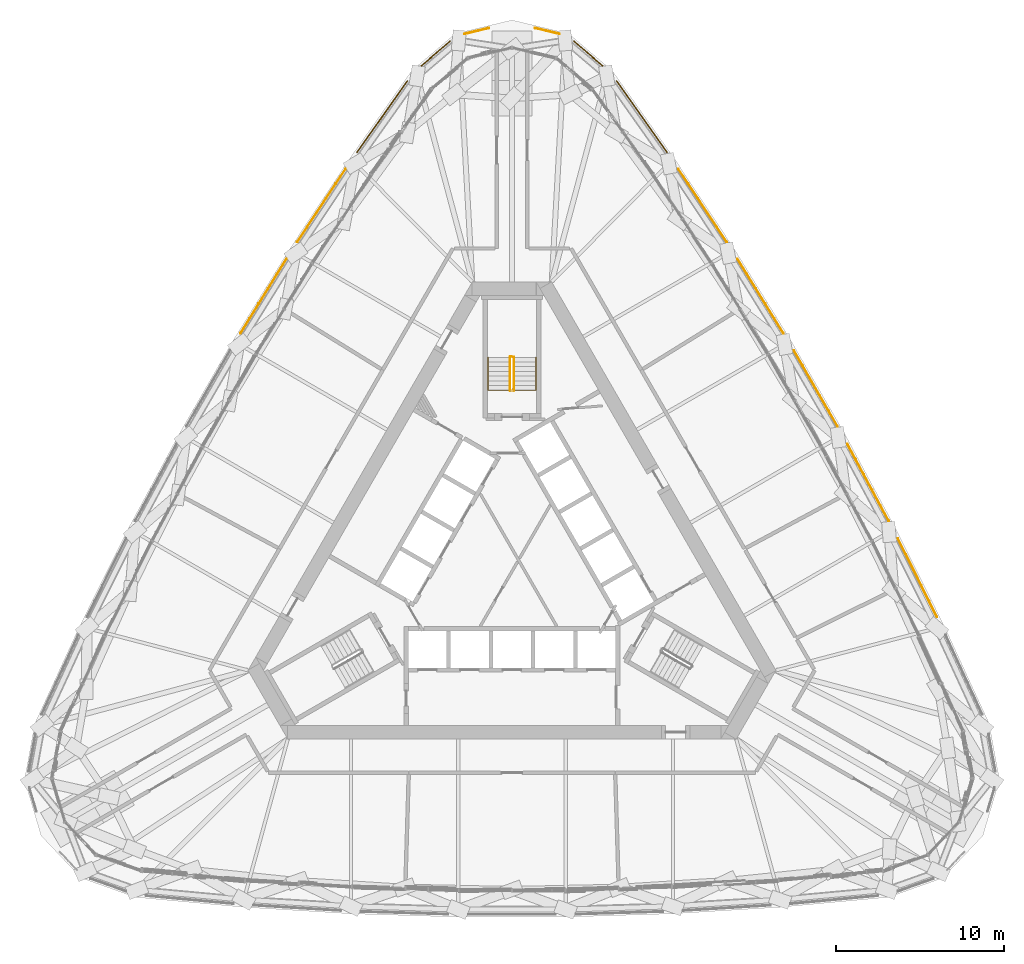
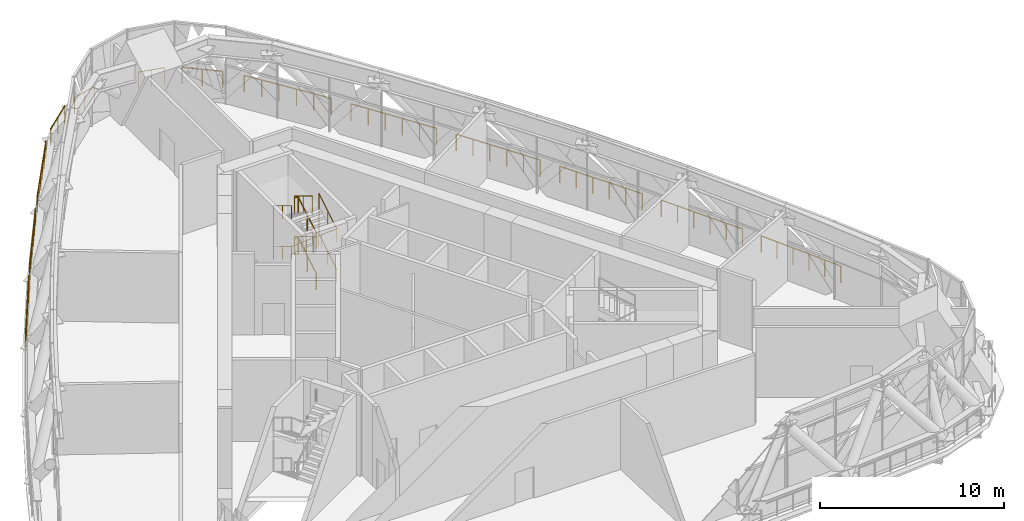
# One storey, part 35 of 35: 18 railings.
"""IFC4 building model written with IfcOpenShell, lengths in metres."""

from ifc_helpers import new_model, si_unit, direction, frame, origin, origin_2d, place, context, subcontext, project, spatial, circle, extrude, material, type_object, element, save


model = new_model("IFC4")

# Units and contexts
model_context = context("Model", 3, precision=1e-05, world=origin(), true_north=direction((0.0, 1.0)))
body_context = subcontext(model_context, "Body", "Model", "MODEL_VIEW")
ifc_project = project(units=[si_unit("LENGTHUNIT", "METRE"), si_unit("AREAUNIT", "SQUARE_METRE"), si_unit("VOLUMEUNIT", "CUBIC_METRE"), si_unit("PLANEANGLEUNIT", "RADIAN"), si_unit("MASSUNIT", "GRAM", prefix="KILO")], contexts=[model_context])

# Site, building, storey
site_placement = place(None, origin())
site = spatial("IfcSite", under=ifc_project, at=site_placement, CompositionType="ELEMENT")
building_placement = place(site_placement, origin())
building = spatial("IfcBuilding", under=site, at=building_placement, Name="Mestral Congress Tower", CompositionType="ELEMENT")
storey_placement = place(building_placement, frame((0.0, 0.0, 196.199951171875)))
storey = spatial("IfcBuildingStorey", under=building, at=storey_placement, Name="L46", CompositionType="ELEMENT", Elevation=196.199951171875)

# Railings
ifc_material_1 = material(Name="Stainless steel", Category="steel")
railing_type_1 = type_object("IfcRailingType", Name="Facade guard 1120 steel and glass", PredefinedType="GUARDRAIL", material=ifc_material_1)
railing_1_placement = place(storey_placement, frame((25.333740234375, -3.16259765625, 0.0)))
element("IfcRailing", 1, at=railing_1_placement, inside=storey, type_object=railing_type_1, Name="Band guard F1-01", PredefinedType="GUARDRAIL", context=body_context, shape_type="SweptSolid", body=[
    extrude(circle(Radius=0.02392578125, at=origin_2d()), frame((0.0, 0.0, 1.09619140625), z_axis=(-0.446237434169, 0.894914606176, 0.0), x_axis=(-0.894914606176, -0.446237434169, 0.0)), (0.0, 0.0, 1.0), 5.20361328125),
    extrude(circle(Radius=0.02099609375, at=origin_2d()), origin(), (0.0, 0.0, 1.0), 1.072021484375),
    extrude(circle(Radius=0.02099609375, at=origin_2d()), frame((-0.46435546875, 0.931396484375, 0.0)), (0.0, 0.0, 1.0), 1.072021484375),
    extrude(circle(Radius=0.02099609375, at=origin_2d()), frame((-0.9287109375, 1.86279296875, 0.0)), (0.0, 0.0, 1.0), 1.072021484375),
    extrude(circle(Radius=0.02099609375, at=origin_2d()), frame((-1.393310546875, 2.7939453125, 0.0)), (0.0, 0.0, 1.0), 1.072021484375),
    extrude(circle(Radius=0.02099609375, at=origin_2d()), frame((-1.857666015625, 3.725341796875, 0.0)), (0.0, 0.0, 1.0), 1.072021484375),
    extrude(circle(Radius=0.02099609375, at=origin_2d()), frame((-2.322021484375, 4.65673828125, 0.0)), (0.0, 0.0, 1.0), 1.072021484375),
])
railing_2_placement = place(storey_placement, frame((22.45751953125, 2.564453125, 0.0)))
element("IfcRailing", 2, at=railing_2_placement, inside=storey, type_object=railing_type_1, Name="Band guard F1-02", PredefinedType="GUARDRAIL", context=body_context, shape_type="SweptSolid", body=[
    extrude(circle(Radius=0.02392578125, at=origin_2d()), frame((0.0, 0.0, 1.09619140625), z_axis=(-0.473349833294, 0.880874528704, 0.0), x_axis=(-0.880874528704, -0.473349833294, 0.0)), (0.0, 0.0, 1.0), 5.20361328125),
    extrude(circle(Radius=0.02099609375, at=origin_2d()), origin(), (0.0, 0.0, 1.0), 1.072021484375),
    extrude(circle(Radius=0.02099609375, at=origin_2d()), frame((-0.49267578125, 0.916748046875, 0.0)), (0.0, 0.0, 1.0), 1.072021484375),
    extrude(circle(Radius=0.02099609375, at=origin_2d()), frame((-0.9853515625, 1.83349609375, 0.0)), (0.0, 0.0, 1.0), 1.072021484375),
    extrude(circle(Radius=0.02099609375, at=origin_2d()), frame((-1.477783203125, 2.750244140625, 0.0)), (0.0, 0.0, 1.0), 1.072021484375),
    extrude(circle(Radius=0.02099609375, at=origin_2d()), frame((-1.970458984375, 3.6669921875, 0.0)), (0.0, 0.0, 1.0), 1.072021484375),
    extrude(circle(Radius=0.02099609375, at=origin_2d()), frame((-2.463134765625, 4.583740234375, 0.0)), (0.0, 0.0, 1.0), 1.072021484375),
])
railing_3_placement = place(storey_placement, frame((19.407958984375, 8.200927734375, 0.0)))
element("IfcRailing", 3, at=railing_3_placement, inside=storey, type_object=railing_type_1, Name="Band guard F1-03", PredefinedType="GUARDRAIL", context=body_context, shape_type="SweptSolid", body=[
    extrude(circle(Radius=0.02392578125, at=origin_2d()), frame((0.0, 0.0, 1.09619140625), z_axis=(-0.500009456303, 0.866019944116, 0.0), x_axis=(-0.866019944116, -0.500009456303, 0.0)), (0.0, 0.0, 1.0), 5.20361328125),
    extrude(circle(Radius=0.02099609375, at=origin_2d()), origin(), (0.0, 0.0, 1.0), 1.072021484375),
    extrude(circle(Radius=0.02099609375, at=origin_2d()), frame((-0.520263671875, 0.9013671875, 0.0)), (0.0, 0.0, 1.0), 1.072021484375),
    extrude(circle(Radius=0.02099609375, at=origin_2d()), frame((-1.040771484375, 1.802490234375, 0.0)), (0.0, 0.0, 1.0), 1.072021484375),
    extrude(circle(Radius=0.02099609375, at=origin_2d()), frame((-1.56103515625, 2.703857421875, 0.0)), (0.0, 0.0, 1.0), 1.072021484375),
    extrude(circle(Radius=0.02099609375, at=origin_2d()), frame((-2.08154296875, 3.60498046875, 0.0)), (0.0, 0.0, 1.0), 1.072021484375),
    extrude(circle(Radius=0.02099609375, at=origin_2d()), frame((-2.601806640625, 4.50634765625, 0.0)), (0.0, 0.0, 1.0), 1.072021484375),
])
railing_4_placement = place(storey_placement, frame((16.187744140625, 13.74169921875, 0.0)))
element("IfcRailing", 4, at=railing_4_placement, inside=storey, type_object=railing_type_1, Name="Band guard F1-04", PredefinedType="GUARDRAIL", context=body_context, shape_type="SweptSolid", body=[
    extrude(circle(Radius=0.02392578125, at=origin_2d()), frame((0.0, 0.0, 1.09619140625), z_axis=(-0.526197926587, 0.850362124072, 0.0), x_axis=(-0.850362124072, -0.526197926587, 0.0)), (0.0, 0.0, 1.0), 5.203369140625),
    extrude(circle(Radius=0.02099609375, at=origin_2d()), origin(), (0.0, 0.0, 1.0), 1.072021484375),
    extrude(circle(Radius=0.02099609375, at=origin_2d()), frame((-0.547607421875, 0.885009765625, 0.0)), (0.0, 0.0, 1.0), 1.072021484375),
    extrude(circle(Radius=0.02099609375, at=origin_2d()), frame((-1.09521484375, 1.77001953125, 0.0)), (0.0, 0.0, 1.0), 1.072021484375),
    extrude(circle(Radius=0.02099609375, at=origin_2d()), frame((-1.642822265625, 2.65478515625, 0.0)), (0.0, 0.0, 1.0), 1.072021484375),
    extrude(circle(Radius=0.02099609375, at=origin_2d()), frame((-2.1904296875, 3.539794921875, 0.0)), (0.0, 0.0, 1.0), 1.072021484375),
    extrude(circle(Radius=0.02099609375, at=origin_2d()), frame((-2.738037109375, 4.4248046875, 0.0)), (0.0, 0.0, 1.0), 1.072021484375),
])
railing_5_placement = place(storey_placement, frame((12.7998046875, 19.181640625, 0.0)))
element("IfcRailing", 5, at=railing_5_placement, inside=storey, type_object=railing_type_1, Name="Band guard F1-05", PredefinedType="GUARDRAIL", context=body_context, shape_type="SweptSolid", body=[
    extrude(circle(Radius=0.02392578125, at=origin_2d()), frame((0.0, 0.0, 1.09619140625), z_axis=(-0.551892811511, 0.833915058386, 0.0), x_axis=(-0.833915058386, -0.551892811511, 0.0)), (0.0, 0.0, 1.0), 5.20361328125),
    extrude(circle(Radius=0.02099609375, at=origin_2d()), origin(), (0.0, 0.0, 1.0), 1.072021484375),
    extrude(circle(Radius=0.02099609375, at=origin_2d()), frame((-0.574462890625, 0.867919921875, 0.0)), (0.0, 0.0, 1.0), 1.072021484375),
    extrude(circle(Radius=0.02099609375, at=origin_2d()), frame((-1.148681640625, 1.73583984375, 0.0)), (0.0, 0.0, 1.0), 1.072021484375),
    extrude(circle(Radius=0.02099609375, at=origin_2d()), frame((-1.72314453125, 2.603515625, 0.0)), (0.0, 0.0, 1.0), 1.072021484375),
    extrude(circle(Radius=0.02099609375, at=origin_2d()), frame((-2.29736328125, 3.471435546875, 0.0)), (0.0, 0.0, 1.0), 1.072021484375),
    extrude(circle(Radius=0.02099609375, at=origin_2d()), frame((-2.871826171875, 4.33935546875, 0.0)), (0.0, 0.0, 1.0), 1.072021484375),
])
railing_6_placement = place(storey_placement, frame((9.24755859375, 24.515869140625, 0.0)))
element("IfcRailing", 6, at=railing_6_placement, inside=storey, type_object=railing_type_1, Name="Band guard F1-06", PredefinedType="GUARDRAIL", context=body_context, shape_type="SweptSolid", body=[
    extrude(circle(Radius=0.02392578125, at=origin_2d()), frame((0.0, 0.0, 1.09619140625), z_axis=(-0.577115207679, 0.816662743772, 0.0), x_axis=(-0.816662743772, -0.577115207679, 0.0)), (0.0, 0.0, 1.0), 5.213134765625),
    extrude(circle(Radius=0.02099609375, at=origin_2d()), origin(), (0.0, 0.0, 1.0), 1.072021484375),
    extrude(circle(Radius=0.02099609375, at=origin_2d()), frame((-0.601806640625, 0.8515625, 0.0)), (0.0, 0.0, 1.0), 1.072021484375),
    extrude(circle(Radius=0.02099609375, at=origin_2d()), frame((-1.203369140625, 1.702880859375, 0.0)), (0.0, 0.0, 1.0), 1.072021484375),
    extrude(circle(Radius=0.02099609375, at=origin_2d()), frame((-1.80517578125, 2.554443359375, 0.0)), (0.0, 0.0, 1.0), 1.072021484375),
    extrude(circle(Radius=0.02099609375, at=origin_2d()), frame((-2.40673828125, 3.40576171875, 0.0)), (0.0, 0.0, 1.0), 1.072021484375),
    extrude(circle(Radius=0.02099609375, at=origin_2d()), frame((-3.008544921875, 4.25732421875, 0.0)), (0.0, 0.0, 1.0), 1.072021484375),
])
railing_7_placement = place(storey_placement, frame((5.404541015625, 29.687255859375, 0.0)))
element("IfcRailing", 7, at=railing_7_placement, inside=storey, type_object=railing_type_1, Name="Band guard K1-0", PredefinedType="GUARDRAIL", context=body_context, shape_type="SweptSolid", body=[
    extrude(circle(Radius=0.02392578125, at=origin_2d()), frame((0.0, 0.0, 1.09619140625), z_axis=(-0.761419744247, 0.648259186645, 0.0), x_axis=(-0.648259186645, -0.761419744247, 0.0)), (0.0, 0.0, 1.0), 2.250244140625),
    extrude(circle(Radius=0.02099609375, at=origin_2d()), origin(), (0.0, 0.0, 1.0), 1.072021484375),
    extrude(circle(Radius=0.02099609375, at=origin_2d()), frame((-0.856689453125, 0.7294921875, 0.0)), (0.0, 0.0, 1.0), 1.072021484375),
    extrude(circle(Radius=0.02099609375, at=origin_2d()), frame((-1.71337890625, 1.458740234375, 0.0)), (0.0, 0.0, 1.0), 1.072021484375),
])
railing_8_placement = place(storey_placement, frame((2.82568359375, 31.585693359375, 0.0)))
element("IfcRailing", 8, at=railing_8_placement, inside=storey, type_object=railing_type_1, Name="Band guard K1-1", PredefinedType="GUARDRAIL", context=body_context, shape_type="SweptSolid", body=[
    extrude(circle(Radius=0.02392578125, at=origin_2d()), frame((0.0, 0.0, 1.09619140625), z_axis=(-0.972471009403, 0.233023895492, 0.0), x_axis=(-0.233023895492, -0.972471009403, 0.0)), (0.0, 0.0, 1.0), 1.4814453125),
    extrude(circle(Radius=0.02099609375, at=origin_2d()), origin(), (0.0, 0.0, 1.0), 1.072021484375),
    extrude(circle(Radius=0.02099609375, at=origin_2d()), frame((-0.72021484375, 0.172607421875, 0.0)), (0.0, 0.0, 1.0), 1.072021484375),
    extrude(circle(Radius=0.02099609375, at=origin_2d()), frame((-1.440673828125, 0.34521484375, 0.0)), (0.0, 0.0, 1.0), 1.072021484375),
])
railing_9_placement = place(storey_placement, frame((-1.385009765625, 31.930908203125, 0.0)))
element("IfcRailing", 9, at=railing_9_placement, inside=storey, type_object=railing_type_1, Name="Band guard K1-2", PredefinedType="GUARDRAIL", context=body_context, shape_type="SweptSolid", body=[
    extrude(circle(Radius=0.02392578125, at=origin_2d()), frame((0.0, 0.0, 1.09619140625), z_axis=(-0.972471009403, -0.233023895492, 0.0), x_axis=(0.233023895492, -0.972471009403, 0.0)), (0.0, 0.0, 1.0), 1.4814453125),
    extrude(circle(Radius=0.02099609375, at=origin_2d()), origin(), (0.0, 0.0, 1.0), 1.072021484375),
    extrude(circle(Radius=0.02099609375, at=origin_2d()), frame((-0.72021484375, -0.172607421875, 0.0)), (0.0, 0.0, 1.0), 1.072021484375),
    extrude(circle(Radius=0.02099609375, at=origin_2d()), frame((-1.440673828125, -0.34521484375, 0.0)), (0.0, 0.0, 1.0), 1.072021484375),
])
railing_10_placement = place(storey_placement, frame((-3.691162109375, 31.14599609375, 0.0)))
element("IfcRailing", 10, at=railing_10_placement, inside=storey, type_object=railing_type_1, Name="Band guard K1-3", PredefinedType="GUARDRAIL", context=body_context, shape_type="SweptSolid", body=[
    extrude(circle(Radius=0.02392578125, at=origin_2d()), frame((0.0, 0.0, 1.09619140625), z_axis=(-0.761419744247, -0.648259186645, 0.0), x_axis=(0.648259186645, -0.761419744247, 0.0)), (0.0, 0.0, 1.0), 2.250244140625),
    extrude(circle(Radius=0.02099609375, at=origin_2d()), origin(), (0.0, 0.0, 1.0), 1.072021484375),
    extrude(circle(Radius=0.02099609375, at=origin_2d()), frame((-0.856689453125, -0.7294921875, 0.0)), (0.0, 0.0, 1.0), 1.072021484375),
    extrude(circle(Radius=0.02099609375, at=origin_2d()), frame((-1.71337890625, -1.458740234375, 0.0)), (0.0, 0.0, 1.0), 1.072021484375),
])
railing_11_placement = place(storey_placement, frame((-6.239013671875, 28.773193359375, 0.0)))
element("IfcRailing", 11, at=railing_11_placement, inside=storey, type_object=railing_type_1, Name="Band guard F2-00", PredefinedType="GUARDRAIL", context=body_context, shape_type="SweptSolid", body=[
    extrude(circle(Radius=0.02392578125, at=origin_2d()), frame((0.0, 0.0, 1.09619140625), z_axis=(-0.577115207679, -0.816662743772, 0.0), x_axis=(0.816662743772, -0.577115207679, 0.0)), (0.0, 0.0, 1.0), 5.213134765625),
    extrude(circle(Radius=0.02099609375, at=origin_2d()), origin(), (0.0, 0.0, 1.0), 1.072021484375),
    extrude(circle(Radius=0.02099609375, at=origin_2d()), frame((-0.601806640625, -0.8515625, 0.0)), (0.0, 0.0, 1.0), 1.072021484375),
    extrude(circle(Radius=0.02099609375, at=origin_2d()), frame((-1.203369140625, -1.702880859375, 0.0)), (0.0, 0.0, 1.0), 1.072021484375),
    extrude(circle(Radius=0.02099609375, at=origin_2d()), frame((-1.80517578125, -2.554443359375, 0.0)), (0.0, 0.0, 1.0), 1.072021484375),
    extrude(circle(Radius=0.02099609375, at=origin_2d()), frame((-2.40673828125, -3.40576171875, 0.0)), (0.0, 0.0, 1.0), 1.072021484375),
    extrude(circle(Radius=0.02099609375, at=origin_2d()), frame((-3.008544921875, -4.25732421875, 0.0)), (0.0, 0.0, 1.0), 1.072021484375),
])
railing_12_placement = place(storey_placement, frame((-9.927978515625, 23.52099609375, 0.0)))
element("IfcRailing", 12, at=railing_12_placement, inside=storey, type_object=railing_type_1, Name="Band guard F2-01", PredefinedType="GUARDRAIL", context=body_context, shape_type="SweptSolid", body=[
    extrude(circle(Radius=0.02392578125, at=origin_2d()), frame((0.0, 0.0, 1.09619140625), z_axis=(-0.551892811511, -0.833915058386, 0.0), x_axis=(0.833915058386, -0.551892811511, 0.0)), (0.0, 0.0, 1.0), 5.20361328125),
    extrude(circle(Radius=0.02099609375, at=origin_2d()), origin(), (0.0, 0.0, 1.0), 1.072021484375),
    extrude(circle(Radius=0.02099609375, at=origin_2d()), frame((-0.574462890625, -0.867919921875, 0.0)), (0.0, 0.0, 1.0), 1.072021484375),
    extrude(circle(Radius=0.02099609375, at=origin_2d()), frame((-1.148681640625, -1.73583984375, 0.0)), (0.0, 0.0, 1.0), 1.072021484375),
    extrude(circle(Radius=0.02099609375, at=origin_2d()), frame((-1.72314453125, -2.603515625, 0.0)), (0.0, 0.0, 1.0), 1.072021484375),
    extrude(circle(Radius=0.02099609375, at=origin_2d()), frame((-2.29736328125, -3.471435546875, 0.0)), (0.0, 0.0, 1.0), 1.072021484375),
    extrude(circle(Radius=0.02099609375, at=origin_2d()), frame((-2.871826171875, -4.33935546875, 0.0)), (0.0, 0.0, 1.0), 1.072021484375),
])
railing_13_placement = place(storey_placement, frame((-13.44970703125, 18.16650390625, 0.0)))
element("IfcRailing", 13, at=railing_13_placement, inside=storey, type_object=railing_type_1, Name="Band guard F2-02", PredefinedType="GUARDRAIL", context=body_context, shape_type="SweptSolid", body=[
    extrude(circle(Radius=0.02392578125, at=origin_2d()), frame((0.0, 0.0, 1.09619140625), z_axis=(-0.526197926587, -0.850362124072, 0.0), x_axis=(0.850362124072, -0.526197926587, 0.0)), (0.0, 0.0, 1.0), 5.203369140625),
    extrude(circle(Radius=0.02099609375, at=origin_2d()), origin(), (0.0, 0.0, 1.0), 1.072021484375),
    extrude(circle(Radius=0.02099609375, at=origin_2d()), frame((-0.547607421875, -0.885009765625, 0.0)), (0.0, 0.0, 1.0), 1.072021484375),
    extrude(circle(Radius=0.02099609375, at=origin_2d()), frame((-1.09521484375, -1.77001953125, 0.0)), (0.0, 0.0, 1.0), 1.072021484375),
    extrude(circle(Radius=0.02099609375, at=origin_2d()), frame((-1.642822265625, -2.65478515625, 0.0)), (0.0, 0.0, 1.0), 1.072021484375),
    extrude(circle(Radius=0.02099609375, at=origin_2d()), frame((-2.1904296875, -3.539794921875, 0.0)), (0.0, 0.0, 1.0), 1.072021484375),
    extrude(circle(Radius=0.02099609375, at=origin_2d()), frame((-2.738037109375, -4.4248046875, 0.0)), (0.0, 0.0, 1.0), 1.072021484375),
])
ifc_material_2 = material(Name="Steel balustrade", Category="steel")
railing_type_2 = type_object("IfcRailingType", Name="Stair guard 1100", PredefinedType="GUARDRAIL", material=ifc_material_2)
railing_14_placement = place(storey_placement, frame((0.125, 10.35009765625, 0.168701171875)))
element("IfcRailing", 14, at=railing_14_placement, inside=storey, type_object=railing_type_2, Name="L46 ST2 stair guard 1", PredefinedType="GUARDRAIL", context=body_context, shape_type="SweptSolid", body=[
    extrude(circle(Radius=0.02392578125, at=origin_2d()), frame((0.0, 0.0, 1.076171875), z_axis=(0.0, 0.856446297458, 0.516236127728), x_axis=(-1.0, 0.0, 0.0)), (0.0, 0.0, 1.0), 2.28857421875),
    extrude(circle(Radius=0.02392578125, at=origin_2d()), frame((0.0, 1.9599609375, 2.25732421875), z_axis=(-0.970072785993, 0.242814311512, 0.0), x_axis=(-0.242814311512, -0.970072785993, 0.0)), (0.0, 0.0, 1.0), 0.2060546875),
    extrude(circle(Radius=0.02099609375, at=origin_2d()), origin(), (0.0, 0.0, 1.0), 1.052001953125),
    extrude(circle(Radius=0.02099609375, at=origin_2d()), frame((0.0, 0.97998046875, 0.5908203125)), (0.0, 0.0, 1.0), 1.052001953125),
    extrude(circle(Radius=0.02099609375, at=origin_2d()), frame((0.0, 1.9599609375, 1.181396484375)), (0.0, 0.0, 1.0), 1.052001953125),
    extrude(circle(Radius=0.02099609375, at=origin_2d()), frame((-0.199951171875, 2.010009765625, 1.181396484375)), (0.0, 0.0, 1.0), 1.052001953125),
])
railing_15_placement = place(storey_placement, frame((-0.125, 12.31005859375, 1.518798828125)))
element("IfcRailing", 15, at=railing_15_placement, inside=storey, type_object=railing_type_2, Name="L46 ST2 stair guard 2", PredefinedType="GUARDRAIL", context=body_context, shape_type="SweptSolid", body=[
    extrude(circle(Radius=0.02392578125, at=origin_2d()), frame((0.0, 0.0, 1.076171875), z_axis=(0.0, -0.856493463811, 0.516157869696), x_axis=(1.0, 0.0, 0.0)), (0.0, 0.0, 1.0), 2.288330078125),
    extrude(circle(Radius=0.02392578125, at=origin_2d()), frame((0.0, -1.9599609375, 2.25732421875), z_axis=(0.707106781187, -0.707106781187, 0.0), x_axis=(0.707106781187, 0.707106781187, 0.0)), (0.0, 0.0, 1.0), 0.07080078125),
    extrude(circle(Radius=0.02392578125, at=origin_2d()), frame((0.050048828125, -2.010009765625, 2.25732421875), z_axis=(1.0, 0.0, 0.0), x_axis=(0.0, 1.0, 0.0)), (0.0, 0.0, 1.0), 0.14990234375),
    extrude(circle(Radius=0.02099609375, at=origin_2d()), origin(), (0.0, 0.0, 1.0), 1.052001953125),
    extrude(circle(Radius=0.02099609375, at=origin_2d()), frame((0.0, -0.97998046875, 0.590576171875)), (0.0, 0.0, 1.0), 1.052001953125),
    extrude(circle(Radius=0.02099609375, at=origin_2d()), frame((0.0, -1.9599609375, 1.18115234375)), (0.0, 0.0, 1.0), 1.052001953125),
    extrude(circle(Radius=0.02099609375, at=origin_2d()), frame((0.050048828125, -2.010009765625, 1.18115234375)), (0.0, 0.0, 1.0), 1.052001953125),
    extrude(circle(Radius=0.02099609375, at=origin_2d()), frame((0.199951171875, -2.010009765625, 1.18115234375)), (0.0, 0.0, 1.0), 1.052001953125),
])
railing_16_placement = place(storey_placement, frame((0.125, 10.35009765625, 2.868896484375)))
element("IfcRailing", 16, at=railing_16_placement, inside=storey, type_object=railing_type_2, Name="L46 ST2 stair guard 3", PredefinedType="GUARDRAIL", context=body_context, shape_type="SweptSolid", body=[
    extrude(circle(Radius=0.02392578125, at=origin_2d()), frame((0.0, 0.0, 1.076171875), z_axis=(0.0, 0.856493463811, 0.516157869696), x_axis=(-1.0, 0.0, 0.0)), (0.0, 0.0, 1.0), 2.288330078125),
    extrude(circle(Radius=0.02392578125, at=origin_2d()), frame((0.0, 1.9599609375, 2.25732421875), z_axis=(-0.970072785993, 0.242814311512, 0.0), x_axis=(-0.242814311512, -0.970072785993, 0.0)), (0.0, 0.0, 1.0), 0.2060546875),
    extrude(circle(Radius=0.02099609375, at=origin_2d()), origin(), (0.0, 0.0, 1.0), 1.052001953125),
    extrude(circle(Radius=0.02099609375, at=origin_2d()), frame((0.0, 0.97998046875, 0.590576171875)), (0.0, 0.0, 1.0), 1.052001953125),
    extrude(circle(Radius=0.02099609375, at=origin_2d()), frame((0.0, 1.9599609375, 1.18115234375)), (0.0, 0.0, 1.0), 1.052001953125),
    extrude(circle(Radius=0.02099609375, at=origin_2d()), frame((-0.199951171875, 2.010009765625, 1.18115234375)), (0.0, 0.0, 1.0), 1.052001953125),
])
railing_17_placement = place(storey_placement, frame((-0.125, 12.31005859375, 4.21875)))
element("IfcRailing", 17, at=railing_17_placement, inside=storey, type_object=railing_type_2, Name="L46 ST2 stair guard 4", PredefinedType="GUARDRAIL", context=body_context, shape_type="SweptSolid", body=[
    extrude(circle(Radius=0.02392578125, at=origin_2d()), frame((0.0, 0.0, 1.076171875), z_axis=(0.0, -0.856446297458, 0.516236127728), x_axis=(1.0, 0.0, 0.0)), (0.0, 0.0, 1.0), 2.28857421875),
    extrude(circle(Radius=0.02099609375, at=origin_2d()), origin(), (0.0, 0.0, 1.0), 1.052001953125),
    extrude(circle(Radius=0.02099609375, at=origin_2d()), frame((0.0, -0.97998046875, 0.5908203125)), (0.0, 0.0, 1.0), 1.052001953125),
    extrude(circle(Radius=0.02099609375, at=origin_2d()), frame((0.0, -1.9599609375, 1.181396484375)), (0.0, 0.0, 1.0), 1.052001953125),
])
ifc_material_3 = material(Name="Steel handrail", Category="steel")
railing_type_3 = type_object("IfcRailingType", Name="Stair handrail 900", PredefinedType="HANDRAIL", material=ifc_material_3)
railing_18_placement = place(storey_placement, frame((1.425048828125, 10.35009765625, 0.168701171875)))
element("IfcRailing", 18, at=railing_18_placement, inside=storey, type_object=railing_type_3, Name="L46 ST2 stair handrail 1", PredefinedType="HANDRAIL", context=body_context, shape_type="SweptSolid", body=[
    extrude(circle(Radius=0.02392578125, at=origin_2d()), frame((0.0, 0.0, 0.8759765625), z_axis=(0.0, 0.856446297458, 0.516236127728), x_axis=(-1.0, 0.0, 0.0)), (0.0, 0.0, 1.0), 2.28857421875),
    extrude(circle(Radius=0.02392578125, at=origin_2d()), frame((0.0, 1.9599609375, 2.05712890625), z_axis=(0.0, 0.0, 1.0), x_axis=(1.0, 0.0, 0.0)), (0.0, 0.0, 1.0), 2.699951171875),
    extrude(circle(Radius=0.02392578125, at=origin_2d()), frame((0.0, 1.9599609375, 4.75732421875), z_axis=(0.0, -0.856493463811, -0.516157869696), x_axis=(1.0, 0.0, 0.0)), (0.0, 0.0, 1.0), 2.288330078125),
    extrude(circle(Radius=0.02392578125, at=origin_2d()), frame((0.0, 0.0, 3.576171875), z_axis=(-0.998247733543, 0.0, -0.059173156725), x_axis=(0.0, -1.0, 0.0)), (0.0, 0.0, 1.0), 2.85498046875),
    extrude(circle(Radius=0.02392578125, at=origin_2d()), frame((-2.85009765625, 0.0, 3.4072265625), z_axis=(0.0, 0.856493463811, -0.516157869696), x_axis=(-1.0, 0.0, 0.0)), (0.0, 0.0, 1.0), 2.288330078125),
    extrude(circle(Radius=0.02392578125, at=origin_2d()), frame((-2.85009765625, 1.9599609375, 2.22607421875), z_axis=(0.0, 0.0, 1.0), x_axis=(1.0, 0.0, 0.0)), (0.0, 0.0, 1.0), 2.699951171875),
    extrude(circle(Radius=0.02392578125, at=origin_2d()), frame((-2.85009765625, 1.9599609375, 4.92578125), z_axis=(0.0, -0.856446297458, 0.516236127728), x_axis=(1.0, 0.0, 0.0)), (0.0, 0.0, 1.0), 2.28857421875),
    extrude(circle(Radius=0.02099609375, at=origin_2d()), origin(), (0.0, 0.0, 1.0), 0.851806640625),
    extrude(circle(Radius=0.02099609375, at=origin_2d()), frame((0.0, 0.97998046875, 0.5908203125)), (0.0, 0.0, 1.0), 0.851806640625),
    extrude(circle(Radius=0.02099609375, at=origin_2d()), frame((0.0, 1.9599609375, 1.181396484375)), (0.0, 0.0, 1.0), 0.851806640625),
    extrude(circle(Radius=0.02099609375, at=origin_2d()), frame((0.0, 1.9599609375, 2.081298828125)), (0.0, 0.0, 1.0), 0.851806640625),
    extrude(circle(Radius=0.02099609375, at=origin_2d()), frame((0.0, 1.9599609375, 2.9814453125)), (0.0, 0.0, 1.0), 0.851806640625),
    extrude(circle(Radius=0.02099609375, at=origin_2d()), frame((0.0, 1.9599609375, 3.88134765625)), (0.0, 0.0, 1.0), 0.851806640625),
    extrude(circle(Radius=0.02099609375, at=origin_2d()), frame((0.0, 0.97998046875, 3.290771484375)), (0.0, 0.0, 1.0), 0.851806640625),
    extrude(circle(Radius=0.02099609375, at=origin_2d()), frame((0.0, 0.0, 2.7001953125)), (0.0, 0.0, 1.0), 0.851806640625),
    extrude(circle(Radius=0.02099609375, at=origin_2d()), frame((-0.949951171875, 0.0, 2.643798828125)), (0.0, 0.0, 1.0), 0.851806640625),
    extrude(circle(Radius=0.02099609375, at=origin_2d()), frame((-1.900146484375, 0.0, 2.587646484375)), (0.0, 0.0, 1.0), 0.851806640625),
    extrude(circle(Radius=0.02099609375, at=origin_2d()), frame((-2.85009765625, 0.0, 2.53125)), (0.0, 0.0, 1.0), 0.851806640625),
    extrude(circle(Radius=0.02099609375, at=origin_2d()), frame((-2.85009765625, 0.97998046875, 1.940673828125)), (0.0, 0.0, 1.0), 0.851806640625),
    extrude(circle(Radius=0.02099609375, at=origin_2d()), frame((-2.85009765625, 1.9599609375, 1.35009765625)), (0.0, 0.0, 1.0), 0.851806640625),
    extrude(circle(Radius=0.02099609375, at=origin_2d()), frame((-2.85009765625, 1.9599609375, 2.25)), (0.0, 0.0, 1.0), 0.851806640625),
    extrude(circle(Radius=0.02099609375, at=origin_2d()), frame((-2.85009765625, 1.9599609375, 3.150146484375)), (0.0, 0.0, 1.0), 0.851806640625),
    extrude(circle(Radius=0.02099609375, at=origin_2d()), frame((-2.85009765625, 1.9599609375, 4.050048828125)), (0.0, 0.0, 1.0), 0.851806640625),
    extrude(circle(Radius=0.02099609375, at=origin_2d()), frame((-2.85009765625, 0.97998046875, 4.640625)), (0.0, 0.0, 1.0), 0.851806640625),
    extrude(circle(Radius=0.02099609375, at=origin_2d()), frame((-2.85009765625, 0.0, 5.2314453125)), (0.0, 0.0, 1.0), 0.851806640625),
])

save(model, "model.ifc")
